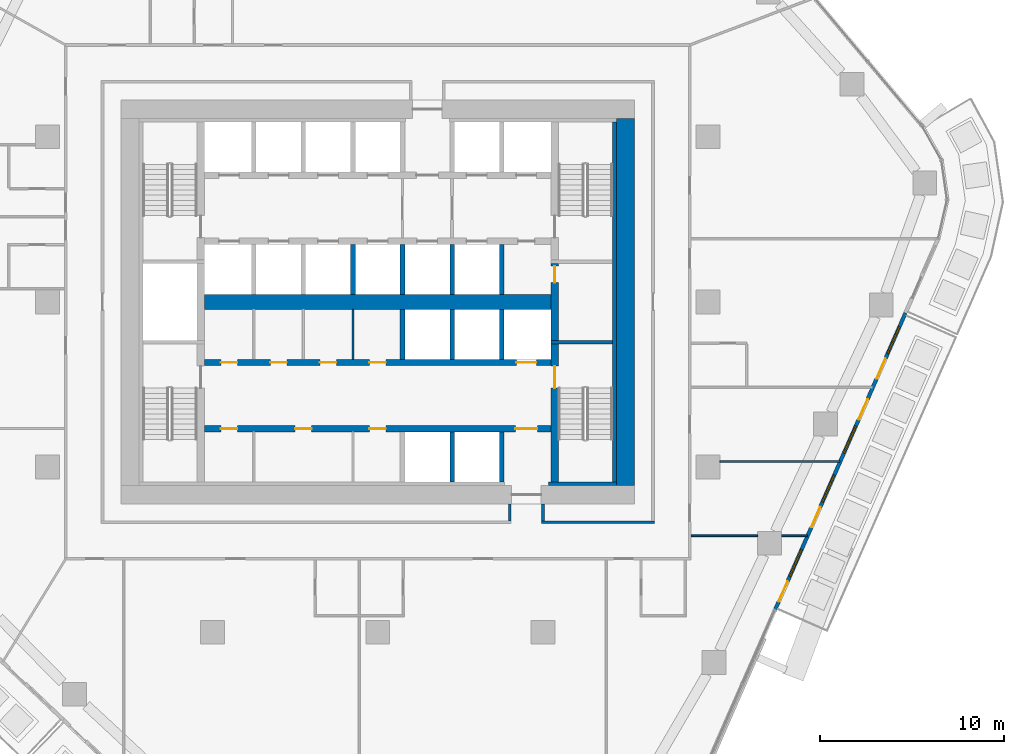
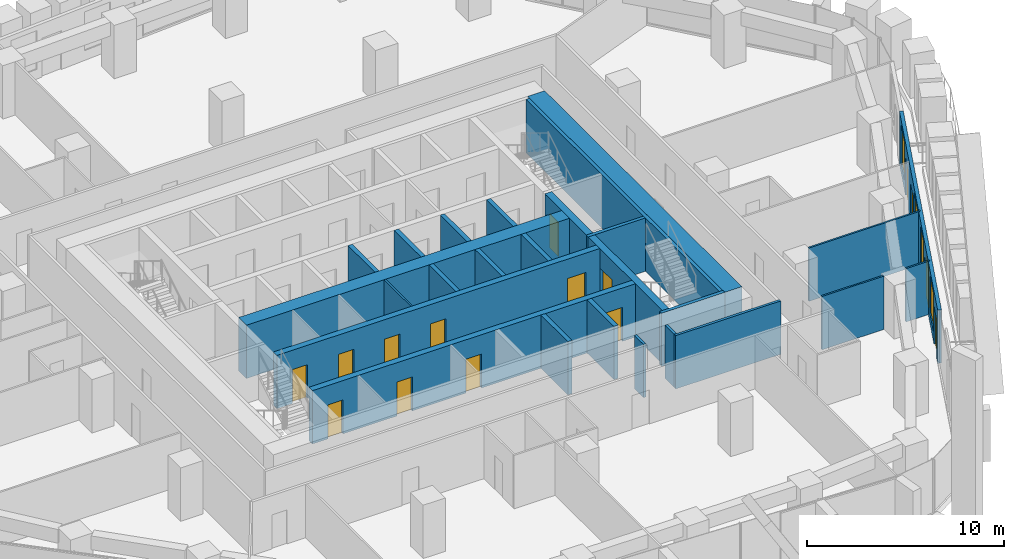
# One storey, part 13 of 24: 26 walls, 15 doors, 4 windows, 19 openings.
"""IFC4 building model written with IfcOpenShell, lengths in metres."""

from ifc_helpers import new_model, si_unit, direction, frame, frame_2d, origin, place, context, subcontext, project, spatial, rectangle, extrude, material, layer, layer_set, type_object, element, fill, save


model = new_model("IFC4")

# Units and contexts
model_context = context("Model", 3, precision=1e-05, world=origin(), true_north=direction((0.0, 1.0)))
body_context = subcontext(model_context, "Body", "Model", "MODEL_VIEW")
ifc_project = project(units=[si_unit("LENGTHUNIT", "METRE"), si_unit("AREAUNIT", "SQUARE_METRE"), si_unit("VOLUMEUNIT", "CUBIC_METRE"), si_unit("PLANEANGLEUNIT", "RADIAN"), si_unit("MASSUNIT", "GRAM", prefix="KILO")], contexts=[model_context])

# Site, building, storey
site_placement = place(None, origin())
site = spatial("IfcSite", under=ifc_project, at=site_placement, CompositionType="ELEMENT")
building_placement = place(site_placement, origin())
building = spatial("IfcBuilding", under=site, at=building_placement, Name="Dongbaek Canopy Tower", CompositionType="ELEMENT")
storey_placement = place(building_placement, frame((0.0, 0.0, 128.5)))
storey = spatial("IfcBuildingStorey", under=building, at=storey_placement, Name="L28", CompositionType="ELEMENT", Elevation=128.5)

# Wall
ifc_material_1 = material(Name="Concrete C60/75", Category="concrete")
ifc_layer_1 = layer(ifc_material_1, 0.800048828125)
ifc_layer_set_1 = layer_set([ifc_layer_1], Name="Core central wall 800 Concrete C60/75")
wall_type_1 = type_object("IfcWallType", Name="Core central wall 800 Concrete C60/75", PredefinedType="SHEAR", material=ifc_layer_set_1)
wall_1_placement = place(storey_placement, frame((-9.449951171875, 0.0, 0.0), z_axis=(0.0, 0.0, 1.0), x_axis=(1.0, 0.0, 0.0)))
element("IfcWall", 1, at=wall_1_placement, inside=storey, type_object=wall_type_1, Name="Core wall", PredefinedType="SHEAR", context=body_context, shape_type="SweptSolid", body=[
    extrude(rectangle(XDim=18.89990234375, YDim=0.800048828125, at=frame_2d((9.449951171875, 0.0))), origin(), (0.0, 0.0, 1.0), 3.300048828125),
])

# Wall, openings, doors
ifc_material_2 = material(Name="Concrete C60/75", Category="concrete")
ifc_layer_2 = layer(ifc_material_2, 0.35009765625)
ifc_layer_set_2 = layer_set([ifc_layer_2], Name="Core lobby wall 350 Concrete C60/75")
wall_type_2 = type_object("IfcWallType", Name="Core lobby wall 350 Concrete C60/75", PredefinedType="SHEAR", material=ifc_layer_set_2)
wall_2_placement = place(storey_placement, frame((-9.449951171875, -3.300048828125, 0.0), z_axis=(0.0, 0.0, 1.0), x_axis=(1.0, 0.0, 0.0)))
wall_2 = element("IfcWall", 2, at=wall_2_placement, inside=storey, type_object=wall_type_2, Name="Core wall", PredefinedType="SHEAR", context=body_context, shape_type="SweptSolid", body=[
    extrude(rectangle(XDim=18.89990234375, YDim=0.35009765625, at=frame_2d((9.449951171875, 0.0))), origin(), (0.0, 0.0, 1.0), 3.300048828125),
])
opening_1_placement = place(wall_2_placement, frame((17.0, 0.0, 0.0)))
opening_1 = element("IfcOpeningElement", 3, at=opening_1_placement, cuts=wall_2, Name="Opening L28-D041", PredefinedType="OPENING", context=body_context, shape_type="SweptSolid", body=[
    extrude(rectangle(XDim=1.10009765625, YDim=2.10009765625, at=frame_2d((0.550048828125, 1.050048828125))), frame((0.0, 0.18505859375, 0.0), z_axis=(0.0, -1.0, 0.0), x_axis=(1.0, 0.0, 0.0)), (0.0, 0.0, 1.0), 0.3701171875),
])
opening_2_placement = place(wall_2_placement, frame((0.89990234375, 0.0, 0.0)))
opening_2 = element("IfcOpeningElement", 4, at=opening_2_placement, cuts=wall_2, Name="Opening L28-D044", PredefinedType="OPENING", context=body_context, shape_type="SweptSolid", body=[
    extrude(rectangle(XDim=0.89990234375, YDim=2.10009765625, at=frame_2d((0.449951171875, 1.050048828125))), frame((0.0, 0.18505859375, 0.0), z_axis=(0.0, -1.0, 0.0), x_axis=(1.0, 0.0, 0.0)), (0.0, 0.0, 1.0), 0.3701171875),
])
opening_3_placement = place(wall_2_placement, frame((3.60009765625, 0.0, 0.0)))
opening_3 = element("IfcOpeningElement", 5, at=opening_3_placement, cuts=wall_2, Name="Opening L28-D045", PredefinedType="OPENING", context=body_context, shape_type="SweptSolid", body=[
    extrude(rectangle(XDim=0.89990234375, YDim=2.10009765625, at=frame_2d((0.449951171875, 1.050048828125))), frame((0.0, 0.18505859375, 0.0), z_axis=(0.0, -1.0, 0.0), x_axis=(1.0, 0.0, 0.0)), (0.0, 0.0, 1.0), 0.3701171875),
])
opening_4_placement = place(wall_2_placement, frame((6.300048828125, 0.0, 0.0)))
opening_4 = element("IfcOpeningElement", 6, at=opening_4_placement, cuts=wall_2, Name="Opening L28-D046", PredefinedType="OPENING", context=body_context, shape_type="SweptSolid", body=[
    extrude(rectangle(XDim=0.89990234375, YDim=2.10009765625, at=frame_2d((0.449951171875, 1.050048828125))), frame((0.0, 0.18505859375, 0.0), z_axis=(0.0, -1.0, 0.0), x_axis=(1.0, 0.0, 0.0)), (0.0, 0.0, 1.0), 0.3701171875),
])
opening_5_placement = place(wall_2_placement, frame((9.0, 0.0, 0.0)))
opening_5 = element("IfcOpeningElement", 7, at=opening_5_placement, cuts=wall_2, Name="Opening L28-D047", PredefinedType="OPENING", context=body_context, shape_type="SweptSolid", body=[
    extrude(rectangle(XDim=0.89990234375, YDim=2.10009765625, at=frame_2d((0.449951171875, 1.050048828125))), frame((0.0, 0.18505859375, 0.0), z_axis=(0.0, -1.0, 0.0), x_axis=(1.0, 0.0, 0.0)), (0.0, 0.0, 1.0), 0.3701171875),
])
ifc_material_3 = material(Name="Steel", Category="steel")
door_type_1 = type_object("IfcDoorType", Name="Core room door 900 x 2100", OperationType="SINGLE_SWING_LEFT", PredefinedType="DOOR", material=ifc_material_3)
door_1_placement = place(opening_2_placement, origin())
door_1 = element("IfcDoor", 8, at=door_1_placement, inside=storey, type_object=door_type_1, Name="Door L28-D044", OperationType="SINGLE_SWING_RIGHT", OverallHeight=2.10009765625, OverallWidth=0.89990234375, PredefinedType="DOOR", context=body_context, shape_type="SweptSolid", body=[
    extrude(rectangle(XDim=0.89990234375, YDim=2.10009765625, at=frame_2d((0.449951171875, 1.050048828125))), frame((0.0, 0.02490234375, 0.0), z_axis=(0.0, -1.0, 0.0), x_axis=(1.0, 0.0, 0.0)), (0.0, 0.0, 1.0), 0.050048828125),
])
fill(opening_2, door_1)
door_2_placement = place(opening_3_placement, origin())
door_2 = element("IfcDoor", 9, at=door_2_placement, inside=storey, type_object=door_type_1, Name="Door L28-D045", OperationType="SINGLE_SWING_LEFT", OverallHeight=2.10009765625, OverallWidth=0.89990234375, PredefinedType="DOOR", context=body_context, shape_type="SweptSolid", body=[
    extrude(rectangle(XDim=0.89990234375, YDim=2.10009765625, at=frame_2d((0.449951171875, 1.050048828125))), frame((0.0, 0.02490234375, 0.0), z_axis=(0.0, -1.0, 0.0), x_axis=(1.0, 0.0, 0.0)), (0.0, 0.0, 1.0), 0.050048828125),
])
fill(opening_3, door_2)
door_3_placement = place(opening_4_placement, origin())
door_3 = element("IfcDoor", 10, at=door_3_placement, inside=storey, type_object=door_type_1, Name="Door L28-D046", OperationType="SINGLE_SWING_RIGHT", OverallHeight=2.10009765625, OverallWidth=0.89990234375, PredefinedType="DOOR", context=body_context, shape_type="SweptSolid", body=[
    extrude(rectangle(XDim=0.89990234375, YDim=2.10009765625, at=frame_2d((0.449951171875, 1.050048828125))), frame((0.0, 0.02490234375, 0.0), z_axis=(0.0, -1.0, 0.0), x_axis=(1.0, 0.0, 0.0)), (0.0, 0.0, 1.0), 0.050048828125),
])
fill(opening_4, door_3)
door_4_placement = place(opening_5_placement, origin())
door_4 = element("IfcDoor", 11, at=door_4_placement, inside=storey, type_object=door_type_1, Name="Door L28-D047", OperationType="SINGLE_SWING_LEFT", OverallHeight=2.10009765625, OverallWidth=0.89990234375, PredefinedType="DOOR", context=body_context, shape_type="SweptSolid", body=[
    extrude(rectangle(XDim=0.89990234375, YDim=2.10009765625, at=frame_2d((0.449951171875, 1.050048828125))), frame((0.0, 0.02490234375, 0.0), z_axis=(0.0, -1.0, 0.0), x_axis=(1.0, 0.0, 0.0)), (0.0, 0.0, 1.0), 0.050048828125),
])
fill(opening_5, door_4)
ifc_material_4 = material(Name="Stainless steel", Category="steel")
door_type_2 = type_object("IfcDoorType", Name="Lift landing door 1100 x 2100", OperationType="DOUBLE_DOOR_SLIDING", PredefinedType="DOOR", material=ifc_material_4)
door_5_placement = place(opening_1_placement, origin())
door_5 = element("IfcDoor", 12, at=door_5_placement, inside=storey, type_object=door_type_2, Name="Landing door SV2", OperationType="DOUBLE_DOOR_SLIDING", OverallHeight=2.10009765625, OverallWidth=1.10009765625, PredefinedType="DOOR", context=body_context, shape_type="SweptSolid", body=[
    extrude(rectangle(XDim=1.10009765625, YDim=2.10009765625, at=frame_2d((0.550048828125, 1.050048828125))), frame((0.0, 0.02490234375, 0.0), z_axis=(0.0, -1.0, 0.0), x_axis=(1.0, 0.0, 0.0)), (0.0, 0.0, 1.0), 0.050048828125),
])
fill(opening_1, door_5)

wall_3_placement = place(storey_placement, frame((9.449951171875, -6.89990234375, 0.0), z_axis=(0.0, 0.0, 1.0), x_axis=(-1.0, 0.0, 0.0)))
wall_3 = element("IfcWall", 13, at=wall_3_placement, inside=storey, type_object=wall_type_2, Name="Core wall", PredefinedType="SHEAR", context=body_context, shape_type="SweptSolid", body=[
    extrude(rectangle(XDim=18.89990234375, YDim=0.35009765625, at=frame_2d((9.449951171875, 0.0))), origin(), (0.0, 0.0, 1.0), 3.300048828125),
])
opening_6_placement = place(wall_3_placement, frame((0.75, 0.0, 0.0)))
opening_6 = element("IfcOpeningElement", 14, at=opening_6_placement, cuts=wall_3, Name="Opening L28-D043", PredefinedType="OPENING", context=body_context, shape_type="SweptSolid", body=[
    extrude(rectangle(XDim=1.199951171875, YDim=2.10009765625, at=frame_2d((0.60009765625, 1.050048828125))), frame((0.0, 0.18505859375, 0.0), z_axis=(0.0, -1.0, 0.0), x_axis=(1.0, 0.0, 0.0)), (0.0, 0.0, 1.0), 0.3701171875),
])
opening_7_placement = place(wall_3_placement, frame((17.10009765625, 0.0, 0.0)))
opening_7 = element("IfcOpeningElement", 15, at=opening_7_placement, cuts=wall_3, Name="Opening L28-D048", PredefinedType="OPENING", context=body_context, shape_type="SweptSolid", body=[
    extrude(rectangle(XDim=0.89990234375, YDim=2.10009765625, at=frame_2d((0.449951171875, 1.050048828125))), frame((0.0, 0.18505859375, 0.0), z_axis=(0.0, -1.0, 0.0), x_axis=(1.0, 0.0, 0.0)), (0.0, 0.0, 1.0), 0.3701171875),
])
opening_8_placement = place(wall_3_placement, frame((13.050048828125, 0.0, 0.0)))
opening_8 = element("IfcOpeningElement", 16, at=opening_8_placement, cuts=wall_3, Name="Opening L28-D049", PredefinedType="OPENING", context=body_context, shape_type="SweptSolid", body=[
    extrude(rectangle(XDim=0.89990234375, YDim=2.10009765625, at=frame_2d((0.449951171875, 1.050048828125))), frame((0.0, 0.18505859375, 0.0), z_axis=(0.0, -1.0, 0.0), x_axis=(1.0, 0.0, 0.0)), (0.0, 0.0, 1.0), 0.3701171875),
])
opening_9_placement = place(wall_3_placement, frame((9.0, 0.0, 0.0)))
opening_9 = element("IfcOpeningElement", 17, at=opening_9_placement, cuts=wall_3, Name="Opening L28-D050", PredefinedType="OPENING", context=body_context, shape_type="SweptSolid", body=[
    extrude(rectangle(XDim=0.89990234375, YDim=2.10009765625, at=frame_2d((0.449951171875, 1.050048828125))), frame((0.0, 0.18505859375, 0.0), z_axis=(0.0, -1.0, 0.0), x_axis=(1.0, 0.0, 0.0)), (0.0, 0.0, 1.0), 0.3701171875),
])
door_6_placement = place(opening_7_placement, origin())
door_6 = element("IfcDoor", 18, at=door_6_placement, inside=storey, type_object=door_type_1, Name="Door L28-D048", OperationType="SINGLE_SWING_RIGHT", OverallHeight=2.10009765625, OverallWidth=0.89990234375, PredefinedType="DOOR", context=body_context, shape_type="SweptSolid", body=[
    extrude(rectangle(XDim=0.89990234375, YDim=2.10009765625, at=frame_2d((0.449951171875, 1.050048828125))), frame((0.0, 0.02490234375, 0.0), z_axis=(0.0, -1.0, 0.0), x_axis=(1.0, 0.0, 0.0)), (0.0, 0.0, 1.0), 0.050048828125),
])
fill(opening_7, door_6)
door_7_placement = place(opening_8_placement, origin())
door_7 = element("IfcDoor", 19, at=door_7_placement, inside=storey, type_object=door_type_1, Name="Door L28-D049", OperationType="SINGLE_SWING_LEFT", OverallHeight=2.10009765625, OverallWidth=0.89990234375, PredefinedType="DOOR", context=body_context, shape_type="SweptSolid", body=[
    extrude(rectangle(XDim=0.89990234375, YDim=2.10009765625, at=frame_2d((0.449951171875, 1.050048828125))), frame((0.0, 0.02490234375, 0.0), z_axis=(0.0, -1.0, 0.0), x_axis=(1.0, 0.0, 0.0)), (0.0, 0.0, 1.0), 0.050048828125),
])
fill(opening_8, door_7)
door_8_placement = place(opening_9_placement, origin())
door_8 = element("IfcDoor", 20, at=door_8_placement, inside=storey, type_object=door_type_1, Name="Door L28-D050", OperationType="SINGLE_SWING_RIGHT", OverallHeight=2.10009765625, OverallWidth=0.89990234375, PredefinedType="DOOR", context=body_context, shape_type="SweptSolid", body=[
    extrude(rectangle(XDim=0.89990234375, YDim=2.10009765625, at=frame_2d((0.449951171875, 1.050048828125))), frame((0.0, 0.02490234375, 0.0), z_axis=(0.0, -1.0, 0.0), x_axis=(1.0, 0.0, 0.0)), (0.0, 0.0, 1.0), 0.050048828125),
])
fill(opening_9, door_8)
ifc_material_5 = material(Name="Steel", Category="steel")
door_type_3 = type_object("IfcDoorType", Name="Fire lobby door 1200 x 2100", OperationType="SINGLE_SWING_LEFT", PredefinedType="DOOR", material=ifc_material_5)
door_9_placement = place(opening_6_placement, origin())
door_9 = element("IfcDoor", 21, at=door_9_placement, inside=storey, type_object=door_type_3, Name="Door L28-D043", OperationType="SINGLE_SWING_LEFT", OverallHeight=2.10009765625, OverallWidth=1.199951171875, PredefinedType="DOOR", context=body_context, shape_type="SweptSolid", body=[
    extrude(rectangle(XDim=1.199951171875, YDim=2.10009765625, at=frame_2d((0.60009765625, 1.050048828125))), frame((0.0, 0.02490234375, 0.0), z_axis=(0.0, -1.0, 0.0), x_axis=(1.0, 0.0, 0.0)), (0.0, 0.0, 1.0), 0.050048828125),
])
fill(opening_6, door_9)

# Walls
ifc_material_6 = material(Name="Concrete C60/75", Category="concrete")
ifc_layer_3 = layer(ifc_material_6, 1.0)
ifc_layer_set_3 = layer_set([ifc_layer_3], Name="Core outer wall 1000 Concrete C60/75")
wall_type_3 = type_object("IfcWallType", Name="Core outer wall 1000 Concrete C60/75", PredefinedType="SHEAR", material=ifc_layer_set_3)
wall_4_placement = place(storey_placement, frame((13.5, 10.0, 0.0), z_axis=(0.0, 0.0, 1.0), x_axis=(0.0, -1.0, 0.0)))
element("IfcWall", 22, at=wall_4_placement, inside=storey, type_object=wall_type_3, Name="Core wall", PredefinedType="SHEAR", context=body_context, shape_type="SweptSolid", body=[
    extrude(rectangle(XDim=20.0, YDim=1.0, at=frame_2d((10.0, 0.0))), origin(), (0.0, 0.0, 1.0), 3.300048828125),
])
ifc_material_7 = material(Name="Concrete C60/75", Category="concrete")
ifc_layer_4 = layer(ifc_material_7, 0.199951171875)
ifc_layer_set_4 = layer_set([ifc_layer_4], Name="Core wall lining 200 Concrete C60/75")
wall_type_4 = type_object("IfcWallType", Name="Core wall lining 200 Concrete C60/75", PredefinedType="SHEAR", material=ifc_layer_set_4)
wall_5_placement = place(storey_placement, frame((13.0, -9.89990234375, 0.0), z_axis=(0.0, 0.0, 1.0), x_axis=(-1.0, 0.0, 0.0)))
element("IfcWall", 23, at=wall_5_placement, inside=storey, type_object=wall_type_4, Name="Core wall lining", PredefinedType="SHEAR", context=body_context, shape_type="SweptSolid", body=[
    extrude(rectangle(XDim=3.699951171875, YDim=0.199951171875, at=frame_2d((1.85009765625, 0.0))), origin(), (0.0, 0.0, 1.0), 3.300048828125),
])
wall_6_placement = place(storey_placement, frame((12.89990234375, 9.800048828125, 0.0), z_axis=(0.0, 0.0, 1.0), x_axis=(0.0, -1.0, 0.0)))
element("IfcWall", 24, at=wall_6_placement, inside=storey, type_object=wall_type_4, Name="Core wall lining", PredefinedType="SHEAR", context=body_context, shape_type="SweptSolid", body=[
    extrude(rectangle(XDim=19.60009765625, YDim=0.199951171875, at=frame_2d((9.800048828125, 0.0))), origin(), (0.0, 0.0, 1.0), 3.300048828125),
])
ifc_material_8 = material(Name="Gypsum board partition, steel stud, 2 x 15 mm fire board", Category="steel")
ifc_layer_5 = layer(ifc_material_8, 0.14990234375)
ifc_layer_set_5 = layer_set([ifc_layer_5], Name="Fire-rated partition 150 gypsum board")
wall_type_5 = type_object("IfcWallType", Name="Fire-rated partition 150 gypsum board", PredefinedType="PARTITIONING", material=ifc_layer_set_5)
wall_7_placement = place(storey_placement, frame((8.925048828125, -12.0, 0.0), z_axis=(0.0, 0.0, 1.0), x_axis=(1.0, 0.0, 0.0)))
element("IfcWall", 25, at=wall_7_placement, inside=storey, type_object=wall_type_5, Name="Corridor partition", PredefinedType="PARTITIONING", context=body_context, shape_type="SweptSolid", body=[
    extrude(rectangle(XDim=6.14990234375, YDim=0.14990234375, at=frame_2d((3.074951171875, 0.0))), origin(), (0.0, 0.0, 1.0), 3.300048828125),
])
for number, where, z_axis, x_axis, name in (
    (26, (9.0, -11.925048828125, 0.0), (0.0, 0.0, 1.0), (0.0, 1.0, 0.0), "Corridor partition"),
    (27, (7.199951171875, -11.925048828125, 0.0), (0.0, 0.0, 1.0), (0.0, 1.0, 0.0), "Corridor partition"),
):
    element("IfcWall", number, at=place(storey_placement, frame(where, z_axis=z_axis, x_axis=x_axis)), inside=storey, type_object=wall_type_5, Name=name, PredefinedType="PARTITIONING", context=body_context, shape_type="SweptSolid", body=[
        extrude(rectangle(XDim=0.925048828125, YDim=0.14990234375, at=frame_2d((0.46240234375, 0.0))), origin(), (0.0, 0.0, 1.0), 3.300048828125),
    ])
ifc_material_9 = material(Name="Concrete C40/50", Category="concrete")
ifc_layer_6 = layer(ifc_material_9, 0.25)
ifc_layer_set_6 = layer_set([ifc_layer_6], Name="Lift shaft wall 250 Concrete C40/50")
wall_type_6 = type_object("IfcWallType", Name="Lift shaft wall 250 Concrete C40/50", PredefinedType="SOLIDWALL", material=ifc_layer_set_6)
for number, where, z_axis, x_axis, name in (
    (28, (6.75, -9.800048828125, 0.0), (0.0, 0.0, 1.0), (0.0, 1.0, 0.0), "Lift shaft wall"),
    (29, (6.75, -3.125, 0.0), (0.0, 0.0, 1.0), (0.0, 1.0, 0.0), "Lift shaft wall"),
    (30, (6.75, 0.39990234375, 0.0), (0.0, 0.0, 1.0), (0.0, 1.0, 0.0), "Lift shaft wall"),
    (31, (4.050048828125, -9.800048828125, 0.0), (0.0, 0.0, 1.0), (0.0, 1.0, 0.0), "Lift shaft wall"),
    (32, (4.050048828125, -3.125, 0.0), (0.0, 0.0, 1.0), (0.0, 1.0, 0.0), "Lift shaft wall"),
    (33, (4.050048828125, 0.39990234375, 0.0), (0.0, 0.0, 1.0), (0.0, 1.0, 0.0), "Lift shaft wall"),
    (34, (1.35009765625, -3.125, 0.0), (0.0, 0.0, 1.0), (0.0, 1.0, 0.0), "Lift shaft wall"),
    (35, (1.35009765625, 0.39990234375, 0.0), (0.0, 0.0, 1.0), (0.0, 1.0, 0.0), "Lift shaft wall"),
    (36, (-1.35009765625, 0.39990234375, 0.0), (0.0, 0.0, 1.0), (0.0, 1.0, 0.0), "Lift shaft wall"),
):
    element("IfcWall", number, at=place(storey_placement, frame(where, z_axis=z_axis, x_axis=x_axis)), inside=storey, type_object=wall_type_6, Name=name, PredefinedType="SOLIDWALL", context=body_context, shape_type="SweptSolid", body=[
        extrude(rectangle(XDim=2.72509765625, YDim=0.25, at=frame_2d((1.362548828125, 0.0))), origin(), (0.0, 0.0, 1.0), 3.300048828125),
    ])
ifc_material_10 = material(Name="Gypsum board partition, steel stud, 2 x 12.5 mm board", Category="steel")
ifc_layer_7 = layer(ifc_material_10, 0.10009765625)
ifc_layer_set_7 = layer_set([ifc_layer_7], Name="Partition 100 gypsum board")
wall_type_7 = type_object("IfcWallType", Name="Partition 100 gypsum board", PredefinedType="PARTITIONING", material=ifc_layer_set_7)
wall_8_placement = place(storey_placement, frame((17.074951171875, -12.737060546875, 0.0), z_axis=(0.0, 0.0, 1.0), x_axis=(1.0, 0.0, 0.0)))
element("IfcWall", 37, at=wall_8_placement, inside=storey, type_object=wall_type_7, Name="Partition", PredefinedType="PARTITIONING", context=body_context, shape_type="SweptSolid", body=[
    extrude(rectangle(XDim=3.631103515625, YDim=0.10009765625, at=frame_2d((1.8154296875, 0.0))), origin(), (0.0, 0.0, 1.0), 3.300048828125),
])
wall_9_placement = place(storey_placement, frame((22.006103515625, -12.737060546875, 0.0), z_axis=(0.0, 0.0, 1.0), x_axis=(1.0, 0.0, 0.0)))
element("IfcWall", 38, at=wall_9_placement, inside=storey, type_object=wall_type_7, Name="Partition", PredefinedType="PARTITIONING", context=body_context, shape_type="SweptSolid", body=[
    extrude(rectangle(XDim=1.39990234375, YDim=0.10009765625, at=frame_2d((0.699951171875, 0.0))), origin(), (0.0, 0.0, 1.0), 3.300048828125),
])
wall_10_placement = place(storey_placement, frame((18.64990234375, -8.69091796875, 0.0), z_axis=(0.0, 0.0, 1.0), x_axis=(1.0, 0.0, 0.0)))
element("IfcWall", 39, at=wall_10_placement, inside=storey, type_object=wall_type_7, Name="Partition", PredefinedType="PARTITIONING", context=body_context, shape_type="SweptSolid", body=[
    extrude(rectangle(XDim=6.533203125, YDim=0.10009765625, at=frame_2d((3.2666015625, 0.0))), origin(), (0.0, 0.0, 1.0), 3.300048828125),
])
wall_11_placement = place(storey_placement, frame((-1.35009765625, -3.125, 0.0), z_axis=(0.0, 0.0, 1.0), x_axis=(0.0, 1.0, 0.0)))
element("IfcWall", 40, at=wall_11_placement, inside=storey, type_object=wall_type_7, Name="Core partition", PredefinedType="PARTITIONING", context=body_context, shape_type="SweptSolid", body=[
    extrude(rectangle(XDim=2.72509765625, YDim=0.10009765625, at=frame_2d((1.362548828125, 0.0))), origin(), (0.0, 0.0, 1.0), 3.300048828125),
])
ifc_material_11 = material(Name="Concrete C60/75", Category="concrete")
ifc_layer_8 = layer(ifc_material_11, 0.199951171875)
ifc_layer_set_8 = layer_set([ifc_layer_8], Name="Riser wall 200 Concrete C60/75")
wall_type_8 = type_object("IfcWallType", Name="Riser wall 200 Concrete C60/75", PredefinedType="SHEAR", material=ifc_layer_set_8)
wall_12_placement = place(storey_placement, frame((9.449951171875, -2.199951171875, 0.0), z_axis=(0.0, 0.0, 1.0), x_axis=(1.0, 0.0, 0.0)))
element("IfcWall", 41, at=wall_12_placement, inside=storey, type_object=wall_type_8, Name="Riser wall", PredefinedType="SHEAR", context=body_context, shape_type="SweptSolid", body=[
    extrude(rectangle(XDim=3.35009765625, YDim=0.199951171875, at=frame_2d((1.675048828125, 0.0))), origin(), (0.0, 0.0, 1.0), 3.300048828125),
])

# Wall, opening, door
ifc_material_12 = material(Name="Concrete C60/75", Category="concrete")
ifc_layer_9 = layer(ifc_material_12, 0.39990234375)
ifc_layer_set_9 = layer_set([ifc_layer_9], Name="Stair wall 400 Concrete C60/75")
wall_type_9 = type_object("IfcWallType", Name="Stair wall 400 Concrete C60/75", PredefinedType="SHEAR", material=ifc_layer_set_9)
wall_13_placement = place(storey_placement, frame((9.64990234375, -2.300048828125, 0.0), z_axis=(0.0, 0.0, 1.0), x_axis=(0.0, -1.0, 0.0)))
wall_13 = element("IfcWall", 42, at=wall_13_placement, inside=storey, type_object=wall_type_9, Name="Stair wall", PredefinedType="SHEAR", context=body_context, shape_type="SweptSolid", body=[
    extrude(rectangle(XDim=7.5, YDim=0.39990234375, at=frame_2d((3.75, 0.0))), origin(), (0.0, 0.0, 1.0), 3.300048828125),
])
opening_10_placement = place(wall_13_placement, frame((1.199951171875, 0.0, 0.0)))
opening_10 = element("IfcOpeningElement", 43, at=opening_10_placement, cuts=wall_13, Name="Opening L28-D053", PredefinedType="OPENING", context=body_context, shape_type="SweptSolid", body=[
    extrude(rectangle(XDim=1.199951171875, YDim=2.10009765625, at=frame_2d((0.60009765625, 1.050048828125))), frame((0.0, 0.2099609375, 0.0), z_axis=(0.0, -1.0, 0.0), x_axis=(1.0, 0.0, 0.0)), (0.0, 0.0, 1.0), 0.419921875),
])
ifc_material_13 = material(Name="Steel", Category="steel")
door_type_4 = type_object("IfcDoorType", Name="Stair door 1200 x 2100", OperationType="SINGLE_SWING_LEFT", PredefinedType="DOOR", material=ifc_material_13)
door_10_placement = place(opening_10_placement, origin())
door_10 = element("IfcDoor", 44, at=door_10_placement, inside=storey, type_object=door_type_4, Name="Stair B door", OperationType="SINGLE_SWING_RIGHT", OverallHeight=2.10009765625, OverallWidth=1.199951171875, PredefinedType="DOOR", context=body_context, shape_type="SweptSolid", body=[
    extrude(rectangle(XDim=1.199951171875, YDim=2.10009765625, at=frame_2d((0.60009765625, 1.050048828125))), frame((0.0, 0.02490234375, 0.0), z_axis=(0.0, -1.0, 0.0), x_axis=(1.0, 0.0, 0.0)), (0.0, 0.0, 1.0), 0.050048828125),
])
fill(opening_10, door_10)

wall_14_placement = place(storey_placement, frame((9.64990234375, 2.10009765625, 0.0), z_axis=(0.0, 0.0, 1.0), x_axis=(0.0, -1.0, 0.0)))
wall_14 = element("IfcWall", 45, at=wall_14_placement, inside=storey, type_object=wall_type_9, Name="Stair wall", PredefinedType="SHEAR", context=body_context, shape_type="SweptSolid", body=[
    extrude(rectangle(XDim=4.2001953125, YDim=0.39990234375, at=frame_2d((2.10009765625, 0.0))), origin(), (0.0, 0.0, 1.0), 3.300048828125),
])
opening_11_placement = place(wall_14_placement, frame((0.14990234375, 0.0, 0.0)))
opening_11 = element("IfcOpeningElement", 46, at=opening_11_placement, cuts=wall_14, Name="Opening L28-D025", PredefinedType="OPENING", context=body_context, shape_type="SweptSolid", body=[
    extrude(rectangle(XDim=0.89990234375, YDim=2.10009765625, at=frame_2d((0.449951171875, 1.050048828125))), frame((0.0, 0.2099609375, 0.0), z_axis=(0.0, -1.0, 0.0), x_axis=(1.0, 0.0, 0.0)), (0.0, 0.0, 1.0), 0.419921875),
])
door_11_placement = place(opening_11_placement, origin())
door_11 = element("IfcDoor", 47, at=door_11_placement, inside=storey, type_object=door_type_1, Name="Door L28-D025", OperationType="SINGLE_SWING_RIGHT", OverallHeight=2.10009765625, OverallWidth=0.89990234375, PredefinedType="DOOR", context=body_context, shape_type="SweptSolid", body=[
    extrude(rectangle(XDim=0.89990234375, YDim=2.10009765625, at=frame_2d((0.449951171875, 1.050048828125))), frame((0.0, 0.02490234375, 0.0), z_axis=(0.0, -1.0, 0.0), x_axis=(1.0, 0.0, 0.0)), (0.0, 0.0, 1.0), 0.050048828125),
])
fill(opening_11, door_11)

# Wall, openings, doors, windows
ifc_material_14 = material(Name="Aluminium window wall", Category="aluminium")
ifc_layer_10 = layer(ifc_material_14, 0.199951171875)
ifc_layer_set_10 = layer_set([ifc_layer_10], Name="Window wall 200")
wall_type_10 = type_object("IfcWallType", Name="Window wall 200", PredefinedType="SOLIDWALL", material=ifc_layer_set_10)
wall_15_placement = place(storey_placement, frame((21.650390625, -16.783447265625, 0.0), z_axis=(0.0, 0.0, 1.0), x_axis=(0.402171088909, 0.915564533633, 0.0)))
wall_15 = element("IfcWall", 48, at=wall_15_placement, inside=storey, type_object=wall_type_10, Name="Window wall L28 4", PredefinedType="SOLIDWALL", context=body_context, shape_type="SweptSolid", body=[
    extrude(rectangle(XDim=17.677001953125, YDim=0.199951171875, at=frame_2d((8.83837890625, 0.0))), origin(), (0.0, 0.0, 1.0), 3.300048828125),
])
opening_12_placement = place(wall_15_placement, frame((2.0, 0.0, 0.60009765625)))
opening_12 = element("IfcOpeningElement", 49, at=opening_12_placement, cuts=wall_15, Name="Opening W1", PredefinedType="OPENING", context=body_context, shape_type="SweptSolid", body=[
    extrude(rectangle(XDim=1.60009765625, YDim=2.39990234375, at=frame_2d((0.800048828125, 1.199951171875))), frame((0.0, 0.10986328125, 0.0), z_axis=(0.0, -1.0, 0.0), x_axis=(1.0, 0.0, 0.0)), (0.0, 0.0, 1.0), 0.219970703125),
])
opening_13_placement = place(wall_15_placement, frame((0.5, 0.0, 0.0)))
opening_13 = element("IfcOpeningElement", 50, at=opening_13_placement, cuts=wall_15, Name="Opening L28-B12", PredefinedType="OPENING", context=body_context, shape_type="SweptSolid", body=[
    extrude(rectangle(XDim=1.199951171875, YDim=2.39990234375, at=frame_2d((0.60009765625, 1.199951171875))), frame((0.0, 0.10986328125, 0.0), z_axis=(0.0, -1.0, 0.0), x_axis=(1.0, 0.0, 0.0)), (0.0, 0.0, 1.0), 0.219970703125),
])
opening_14_placement = place(wall_15_placement, frame((6.419189453125, 0.0, 0.60009765625)))
opening_14 = element("IfcOpeningElement", 51, at=opening_14_placement, cuts=wall_15, Name="Opening W1", PredefinedType="OPENING", context=body_context, shape_type="SweptSolid", body=[
    extrude(rectangle(XDim=1.60009765625, YDim=2.39990234375, at=frame_2d((0.800048828125, 1.199951171875))), frame((0.0, 0.10986328125, 0.0), z_axis=(0.0, -1.0, 0.0), x_axis=(1.0, 0.0, 0.0)), (0.0, 0.0, 1.0), 0.219970703125),
])
opening_15_placement = place(wall_15_placement, frame((4.919189453125, 0.0, 0.0)))
opening_15 = element("IfcOpeningElement", 52, at=opening_15_placement, cuts=wall_15, Name="Opening L28-B13", PredefinedType="OPENING", context=body_context, shape_type="SweptSolid", body=[
    extrude(rectangle(XDim=1.199951171875, YDim=2.39990234375, at=frame_2d((0.60009765625, 1.199951171875))), frame((0.0, 0.10986328125, 0.0), z_axis=(0.0, -1.0, 0.0), x_axis=(1.0, 0.0, 0.0)), (0.0, 0.0, 1.0), 0.219970703125),
])
opening_16_placement = place(wall_15_placement, frame((9.33837890625, 0.0, 0.60009765625)))
opening_16 = element("IfcOpeningElement", 53, at=opening_16_placement, cuts=wall_15, Name="Opening W1", PredefinedType="OPENING", context=body_context, shape_type="SweptSolid", body=[
    extrude(rectangle(XDim=1.60009765625, YDim=2.39990234375, at=frame_2d((0.800048828125, 1.199951171875))), frame((0.0, 0.10986328125, 0.0), z_axis=(0.0, -1.0, 0.0), x_axis=(1.0, 0.0, 0.0)), (0.0, 0.0, 1.0), 0.219970703125),
])
opening_17_placement = place(wall_15_placement, frame((11.33837890625, 0.0, 0.0)))
opening_17 = element("IfcOpeningElement", 54, at=opening_17_placement, cuts=wall_15, Name="Opening L28-B14", PredefinedType="OPENING", context=body_context, shape_type="SweptSolid", body=[
    extrude(rectangle(XDim=1.199951171875, YDim=2.39990234375, at=frame_2d((0.60009765625, 1.199951171875))), frame((0.0, 0.10986328125, 0.0), z_axis=(0.0, -1.0, 0.0), x_axis=(1.0, 0.0, 0.0)), (0.0, 0.0, 1.0), 0.219970703125),
])
opening_18_placement = place(wall_15_placement, frame((15.257568359375, 0.0, 0.60009765625)))
opening_18 = element("IfcOpeningElement", 55, at=opening_18_placement, cuts=wall_15, Name="Opening W1", PredefinedType="OPENING", context=body_context, shape_type="SweptSolid", body=[
    extrude(rectangle(XDim=1.60009765625, YDim=2.39990234375, at=frame_2d((0.800048828125, 1.199951171875))), frame((0.0, 0.10986328125, 0.0), z_axis=(0.0, -1.0, 0.0), x_axis=(1.0, 0.0, 0.0)), (0.0, 0.0, 1.0), 0.219970703125),
])
opening_19_placement = place(wall_15_placement, frame((13.757568359375, 0.0, 0.0)))
opening_19 = element("IfcOpeningElement", 56, at=opening_19_placement, cuts=wall_15, Name="Opening L28-B15", PredefinedType="OPENING", context=body_context, shape_type="SweptSolid", body=[
    extrude(rectangle(XDim=1.199951171875, YDim=2.39990234375, at=frame_2d((0.60009765625, 1.199951171875))), frame((0.0, 0.10986328125, 0.0), z_axis=(0.0, -1.0, 0.0), x_axis=(1.0, 0.0, 0.0)), (0.0, 0.0, 1.0), 0.219970703125),
])
ifc_material_15 = material(Name="Clear glazing in aluminium frame", Category="aluminium")
door_type_5 = type_object("IfcDoorType", Name="Balcony door BD1 1200 x 2400", OperationType="SLIDING_TO_LEFT", PredefinedType="DOOR", material=ifc_material_15)
door_12_placement = place(opening_13_placement, origin())
door_12 = element("IfcDoor", 57, at=door_12_placement, inside=storey, type_object=door_type_5, Name="Balcony door L28-B12", OperationType="SLIDING_TO_LEFT", OverallHeight=2.39990234375, OverallWidth=1.199951171875, PredefinedType="DOOR", context=body_context, shape_type="SweptSolid", body=[
    extrude(rectangle(XDim=1.199951171875, YDim=2.39990234375, at=frame_2d((0.60009765625, 1.199951171875))), frame((0.0, 0.02490234375, 0.0), z_axis=(0.0, -1.0, 0.0), x_axis=(1.0, 0.0, 0.0)), (0.0, 0.0, 1.0), 0.050048828125),
])
fill(opening_13, door_12)
door_13_placement = place(opening_15_placement, origin())
door_13 = element("IfcDoor", 58, at=door_13_placement, inside=storey, type_object=door_type_5, Name="Balcony door L28-B13", OperationType="SLIDING_TO_LEFT", OverallHeight=2.39990234375, OverallWidth=1.199951171875, PredefinedType="DOOR", context=body_context, shape_type="SweptSolid", body=[
    extrude(rectangle(XDim=1.199951171875, YDim=2.39990234375, at=frame_2d((0.60009765625, 1.199951171875))), frame((0.0, 0.02490234375, 0.0), z_axis=(0.0, -1.0, 0.0), x_axis=(1.0, 0.0, 0.0)), (0.0, 0.0, 1.0), 0.050048828125),
])
fill(opening_15, door_13)
door_14_placement = place(opening_17_placement, origin())
door_14 = element("IfcDoor", 59, at=door_14_placement, inside=storey, type_object=door_type_5, Name="Balcony door L28-B14", OperationType="SLIDING_TO_LEFT", OverallHeight=2.39990234375, OverallWidth=1.199951171875, PredefinedType="DOOR", context=body_context, shape_type="SweptSolid", body=[
    extrude(rectangle(XDim=1.199951171875, YDim=2.39990234375, at=frame_2d((0.60009765625, 1.199951171875))), frame((0.0, 0.02490234375, 0.0), z_axis=(0.0, -1.0, 0.0), x_axis=(1.0, 0.0, 0.0)), (0.0, 0.0, 1.0), 0.050048828125),
])
fill(opening_17, door_14)
door_15_placement = place(opening_19_placement, origin())
door_15 = element("IfcDoor", 60, at=door_15_placement, inside=storey, type_object=door_type_5, Name="Balcony door L28-B15", OperationType="SLIDING_TO_LEFT", OverallHeight=2.39990234375, OverallWidth=1.199951171875, PredefinedType="DOOR", context=body_context, shape_type="SweptSolid", body=[
    extrude(rectangle(XDim=1.199951171875, YDim=2.39990234375, at=frame_2d((0.60009765625, 1.199951171875))), frame((0.0, 0.02490234375, 0.0), z_axis=(0.0, -1.0, 0.0), x_axis=(1.0, 0.0, 0.0)), (0.0, 0.0, 1.0), 0.050048828125),
])
fill(opening_19, door_15)
ifc_material_16 = material(Name="Clear glazing in aluminium frame", Category="aluminium")
window_type = type_object("IfcWindowType", Name="Window W1 1600 x 2400", PartitioningType="SINGLE_PANEL", PredefinedType="WINDOW", material=ifc_material_16)
window_1_placement = place(opening_12_placement, origin())
window_1 = element("IfcWindow", 61, at=window_1_placement, inside=storey, type_object=window_type, Name="Window L28 4.1", OverallHeight=2.39990234375, OverallWidth=1.60009765625, PartitioningType="SINGLE_PANEL", PredefinedType="WINDOW", context=body_context, shape_type="SweptSolid", body=[
    extrude(rectangle(XDim=1.60009765625, YDim=2.39990234375, at=frame_2d((0.800048828125, 1.199951171875))), frame((0.0, 0.030029296875, 0.0), z_axis=(0.0, -1.0, 0.0), x_axis=(1.0, 0.0, 0.0)), (0.0, 0.0, 1.0), 0.06005859375),
])
fill(opening_12, window_1)
window_2_placement = place(opening_14_placement, origin())
window_2 = element("IfcWindow", 62, at=window_2_placement, inside=storey, type_object=window_type, Name="Window L28 4.2", OverallHeight=2.39990234375, OverallWidth=1.60009765625, PartitioningType="SINGLE_PANEL", PredefinedType="WINDOW", context=body_context, shape_type="SweptSolid", body=[
    extrude(rectangle(XDim=1.60009765625, YDim=2.39990234375, at=frame_2d((0.800048828125, 1.199951171875))), frame((0.0, 0.030029296875, 0.0), z_axis=(0.0, -1.0, 0.0), x_axis=(1.0, 0.0, 0.0)), (0.0, 0.0, 1.0), 0.06005859375),
])
fill(opening_14, window_2)
window_3_placement = place(opening_16_placement, origin())
window_3 = element("IfcWindow", 63, at=window_3_placement, inside=storey, type_object=window_type, Name="Window L28 4.3", OverallHeight=2.39990234375, OverallWidth=1.60009765625, PartitioningType="SINGLE_PANEL", PredefinedType="WINDOW", context=body_context, shape_type="SweptSolid", body=[
    extrude(rectangle(XDim=1.60009765625, YDim=2.39990234375, at=frame_2d((0.800048828125, 1.199951171875))), frame((0.0, 0.030029296875, 0.0), z_axis=(0.0, -1.0, 0.0), x_axis=(1.0, 0.0, 0.0)), (0.0, 0.0, 1.0), 0.06005859375),
])
fill(opening_16, window_3)
window_4_placement = place(opening_18_placement, origin())
window_4 = element("IfcWindow", 64, at=window_4_placement, inside=storey, type_object=window_type, Name="Window L28 4.4", OverallHeight=2.39990234375, OverallWidth=1.60009765625, PartitioningType="SINGLE_PANEL", PredefinedType="WINDOW", context=body_context, shape_type="SweptSolid", body=[
    extrude(rectangle(XDim=1.60009765625, YDim=2.39990234375, at=frame_2d((0.800048828125, 1.199951171875))), frame((0.0, 0.030029296875, 0.0), z_axis=(0.0, -1.0, 0.0), x_axis=(1.0, 0.0, 0.0)), (0.0, 0.0, 1.0), 0.06005859375),
])
fill(opening_18, window_4)

save(model, "model.ifc")
